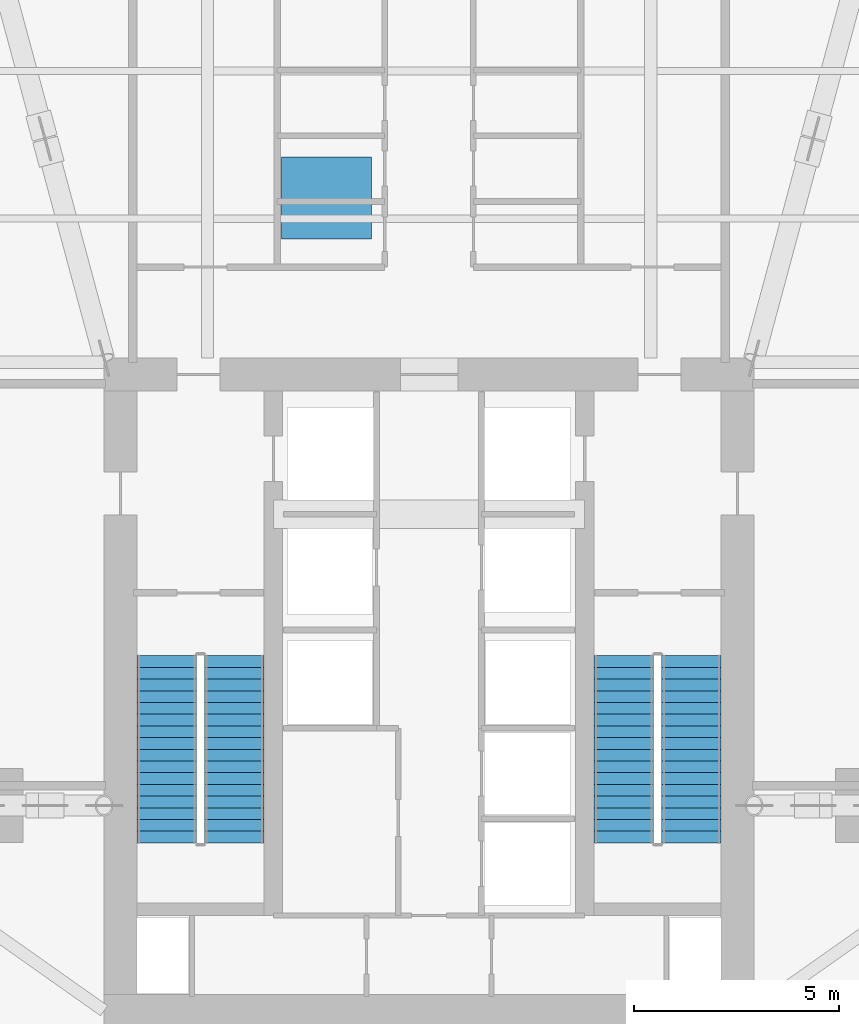
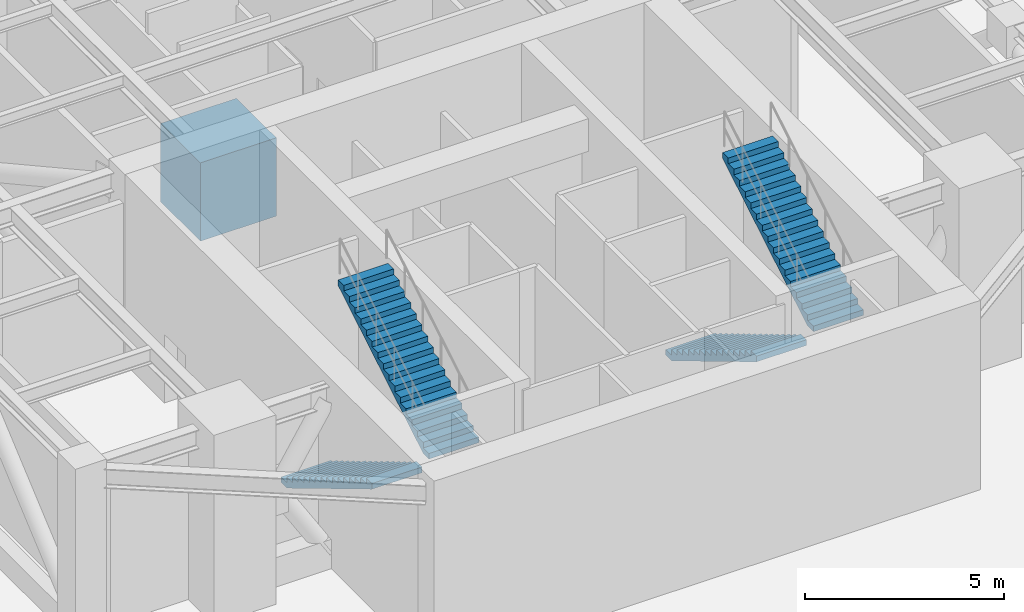
# One storey, part 6 of 8: 4 stair flights, 1 discrete accessory, 2 elements without a shape of their own.
"""IFC4 building model written with IfcOpenShell, lengths in metres."""

from ifc_helpers import new_model, si_unit, direction, frame, origin, origin_2d, place, context, subcontext, project, spatial, polyline, rectangle, outline, extrude, source, transform, mapped, material, type_object, type_shapes, element, aggregate, save


model = new_model("IFC4")

# Units and contexts
model_context = context("Model", 3, precision=1e-05, world=origin(), true_north=direction((0.0, 1.0)))
body_context = subcontext(model_context, "Body", "Model", "MODEL_VIEW")
ifc_project = project(units=[si_unit("LENGTHUNIT", "METRE"), si_unit("AREAUNIT", "SQUARE_METRE"), si_unit("VOLUMEUNIT", "CUBIC_METRE"), si_unit("PLANEANGLEUNIT", "RADIAN"), si_unit("MASSUNIT", "GRAM", prefix="KILO")], contexts=[model_context])

# Site, building, storey
site_placement = place(None, origin())
site = spatial("IfcSite", under=ifc_project, at=site_placement, CompositionType="ELEMENT")
building_placement = place(site_placement, origin())
building = spatial("IfcBuilding", under=site, at=building_placement, Name="Krantzveldt Concourse Tower", CompositionType="ELEMENT")
storey_placement = place(building_placement, frame((0.0, 0.0, 201.5)))
storey = spatial("IfcBuildingStorey", under=building, at=storey_placement, Name="L49", CompositionType="ELEMENT", Elevation=201.5)

# Stair, stair flights
ifc_material_1 = material(Name="Precast concrete C40/50", Category="concrete")
stair_type = type_object("IfcStairType", Name="STR-CORE-DOGLEG", PredefinedType="HALF_TURN_STAIR", material=ifc_material_1)
stair_1_placement = place(storey_placement, origin())
stair_1 = element("IfcStair", 1, at=stair_1_placement, inside=storey, type_object=stair_type, Name="L49 Protected Escape Stair ST-1", PredefinedType="HALF_TURN_STAIR")
stair_flight_type = type_object("IfcStairFlightType", Name="STF-CORE-1450", PredefinedType="STRAIGHT", material=ifc_material_1)
stair_flight_1_placement = place(storey_placement, frame((29.60498046875, 19.550048828125, 0.0), z_axis=(0.0, 0.0, 1.0), x_axis=(0.0, -1.0, 0.0)))
stair_flight_1 = element("IfcStairFlight", 2, at=stair_flight_1_placement, type_object=stair_flight_type, Name="ST-1 flight 1", NumberOfRisers=17, NumberOfTreads=16, PredefinedType="STRAIGHT", RiserHeight=0.170588235, TreadLength=0.285, context=body_context, shape_type="SweptSolid", body=[
    extrude(outline(polyline([(0.0, 0.0), (0.0, 0.170654296875), (0.284912109375, 0.170654296875), (0.284912109375, 0.341064453125), (0.570068359375, 0.341064453125), (0.570068359375, 0.51171875), (0.85498046875, 0.51171875), (0.85498046875, 0.682373046875), (1.139892578125, 0.682373046875), (1.139892578125, 0.85302734375), (1.425048828125, 0.85302734375), (1.425048828125, 1.0234375), (1.7099609375, 1.0234375), (1.7099609375, 1.194091796875), (1.9951171875, 1.194091796875), (1.9951171875, 1.36474609375), (2.280029296875, 1.36474609375), (2.280029296875, 1.535400390625), (2.56494140625, 1.535400390625), (2.56494140625, 1.705810546875), (2.85009765625, 1.705810546875), (2.85009765625, 1.87646484375), (3.135009765625, 1.87646484375), (3.135009765625, 2.047119140625), (3.419921875, 2.047119140625), (3.419921875, 2.217529296875), (3.705078125, 2.217529296875), (3.705078125, 2.38818359375), (3.989990234375, 2.38818359375), (3.989990234375, 2.558837890625), (4.27490234375, 2.558837890625), (4.27490234375, 2.7294921875), (4.56005859375, 2.7294921875), (4.56005859375, 2.89990234375), (4.56005859375, 2.5546875), (0.2919921875, 0.0), (0.0, 0.0)])), frame((0.0, 0.72509765625, 0.0), z_axis=(0.0, -1.0, 0.0), x_axis=(1.0, 0.0, 0.0)), (0.0, 0.0, 1.0), 1.449951171875),
])
stair_flight_2_placement = place(storey_placement, frame((31.2548828125, 14.989990234375, 2.89990234375), z_axis=(0.0, 0.0, 1.0), x_axis=(0.0, 1.0, 0.0)))
stair_flight_2 = element("IfcStairFlight", 3, at=stair_flight_2_placement, type_object=stair_flight_type, Name="ST-1 flight 2", NumberOfRisers=17, NumberOfTreads=16, PredefinedType="STRAIGHT", RiserHeight=0.170588235, TreadLength=0.285, context=body_context, shape_type="SweptSolid", body=[
    extrude(outline(polyline([(0.0, 0.0), (0.0, 0.170654296875), (0.284912109375, 0.170654296875), (0.284912109375, 0.341064453125), (0.570068359375, 0.341064453125), (0.570068359375, 0.51171875), (0.85498046875, 0.51171875), (0.85498046875, 0.682373046875), (1.139892578125, 0.682373046875), (1.139892578125, 0.85302734375), (1.425048828125, 0.85302734375), (1.425048828125, 1.0234375), (1.7099609375, 1.0234375), (1.7099609375, 1.194091796875), (1.9951171875, 1.194091796875), (1.9951171875, 1.36474609375), (2.280029296875, 1.36474609375), (2.280029296875, 1.535400390625), (2.56494140625, 1.535400390625), (2.56494140625, 1.705810546875), (2.85009765625, 1.705810546875), (2.85009765625, 1.87646484375), (3.135009765625, 1.87646484375), (3.135009765625, 2.047119140625), (3.419921875, 2.047119140625), (3.419921875, 2.217529296875), (3.705078125, 2.217529296875), (3.705078125, 2.38818359375), (3.989990234375, 2.38818359375), (3.989990234375, 2.558837890625), (4.27490234375, 2.558837890625), (4.27490234375, 2.7294921875), (4.56005859375, 2.7294921875), (4.56005859375, 2.89990234375), (4.56005859375, 2.5546875), (0.2919921875, 0.0), (0.0, 0.0)])), frame((0.0, 0.72509765625, 0.0), z_axis=(0.0, -1.0, 0.0), x_axis=(1.0, 0.0, 0.0)), (0.0, 0.0, 1.0), 1.449951171875),
])
aggregate(stair_1, [stair_flight_1, stair_flight_2])

stair_2_placement = place(storey_placement, origin())
stair_2 = element("IfcStair", 4, at=stair_2_placement, inside=storey, type_object=stair_type, Name="L49 Protected Escape Stair ST-2", PredefinedType="HALF_TURN_STAIR")
stair_flight_3_placement = place(storey_placement, frame((40.7451171875, 19.550048828125, 0.0), z_axis=(0.0, 0.0, 1.0), x_axis=(0.0, -1.0, 0.0)))
stair_flight_3 = element("IfcStairFlight", 5, at=stair_flight_3_placement, type_object=stair_flight_type, Name="ST-2 flight 1", NumberOfRisers=17, NumberOfTreads=16, PredefinedType="STRAIGHT", RiserHeight=0.170588235, TreadLength=0.285, context=body_context, shape_type="SweptSolid", body=[
    extrude(outline(polyline([(0.0, 0.0), (0.0, 0.170654296875), (0.284912109375, 0.170654296875), (0.284912109375, 0.341064453125), (0.570068359375, 0.341064453125), (0.570068359375, 0.51171875), (0.85498046875, 0.51171875), (0.85498046875, 0.682373046875), (1.139892578125, 0.682373046875), (1.139892578125, 0.85302734375), (1.425048828125, 0.85302734375), (1.425048828125, 1.0234375), (1.7099609375, 1.0234375), (1.7099609375, 1.194091796875), (1.9951171875, 1.194091796875), (1.9951171875, 1.36474609375), (2.280029296875, 1.36474609375), (2.280029296875, 1.535400390625), (2.56494140625, 1.535400390625), (2.56494140625, 1.705810546875), (2.85009765625, 1.705810546875), (2.85009765625, 1.87646484375), (3.135009765625, 1.87646484375), (3.135009765625, 2.047119140625), (3.419921875, 2.047119140625), (3.419921875, 2.217529296875), (3.705078125, 2.217529296875), (3.705078125, 2.38818359375), (3.989990234375, 2.38818359375), (3.989990234375, 2.558837890625), (4.27490234375, 2.558837890625), (4.27490234375, 2.7294921875), (4.56005859375, 2.7294921875), (4.56005859375, 2.89990234375), (4.56005859375, 2.5546875), (0.2919921875, 0.0), (0.0, 0.0)])), frame((0.0, 0.72509765625, 0.0), z_axis=(0.0, -1.0, 0.0), x_axis=(1.0, 0.0, 0.0)), (0.0, 0.0, 1.0), 1.449951171875),
])
stair_flight_4_placement = place(storey_placement, frame((42.39501953125, 14.989990234375, 2.89990234375), z_axis=(0.0, 0.0, 1.0), x_axis=(0.0, 1.0, 0.0)))
stair_flight_4 = element("IfcStairFlight", 6, at=stair_flight_4_placement, type_object=stair_flight_type, Name="ST-2 flight 2", NumberOfRisers=17, NumberOfTreads=16, PredefinedType="STRAIGHT", RiserHeight=0.170588235, TreadLength=0.285, context=body_context, shape_type="SweptSolid", body=[
    extrude(outline(polyline([(0.0, 0.0), (0.0, 0.170654296875), (0.284912109375, 0.170654296875), (0.284912109375, 0.341064453125), (0.570068359375, 0.341064453125), (0.570068359375, 0.51171875), (0.85498046875, 0.51171875), (0.85498046875, 0.682373046875), (1.139892578125, 0.682373046875), (1.139892578125, 0.85302734375), (1.425048828125, 0.85302734375), (1.425048828125, 1.0234375), (1.7099609375, 1.0234375), (1.7099609375, 1.194091796875), (1.9951171875, 1.194091796875), (1.9951171875, 1.36474609375), (2.280029296875, 1.36474609375), (2.280029296875, 1.535400390625), (2.56494140625, 1.535400390625), (2.56494140625, 1.705810546875), (2.85009765625, 1.705810546875), (2.85009765625, 1.87646484375), (3.135009765625, 1.87646484375), (3.135009765625, 2.047119140625), (3.419921875, 2.047119140625), (3.419921875, 2.217529296875), (3.705078125, 2.217529296875), (3.705078125, 2.38818359375), (3.989990234375, 2.38818359375), (3.989990234375, 2.558837890625), (4.27490234375, 2.558837890625), (4.27490234375, 2.7294921875), (4.56005859375, 2.7294921875), (4.56005859375, 2.89990234375), (4.56005859375, 2.5546875), (0.2919921875, 0.0), (0.0, 0.0)])), frame((0.0, 0.72509765625, 0.0), z_axis=(0.0, -1.0, 0.0), x_axis=(1.0, 0.0, 0.0)), (0.0, 0.0, 1.0), 1.449951171875),
])
aggregate(stair_2, [stair_flight_3, stair_flight_4])

# Discrete accessory
ifc_material_2 = material(Name="Galvanised steel", Category="steel")
discrete_accessory_type = type_object("IfcDiscreteAccessoryType", Name="EQ-CHILLER-SKID", PredefinedType="USERDEFINED", material=ifc_material_2)
shared_shape = source(origin(), body_context, "Body", "SweptSolid", [
    extrude(rectangle(XDim=2.199951171875, YDim=2.0, at=origin_2d()), origin(), (0.0, 0.0, 1.0), 2.39990234375),
])
type_shapes(discrete_accessory_type, [shared_shape])
discrete_accessory_placement = place(storey_placement, frame((33.5, 30.699951171875, 0.0), z_axis=(0.0, 0.0, 1.0), x_axis=(1.0, 0.0, 0.0)))
element("IfcDiscreteAccessory", 7, at=discrete_accessory_placement, inside=storey, type_object=discrete_accessory_type, Name="EQ-L49-CHL1", ObjectType="CHILLER SKID", PredefinedType="USERDEFINED", context=body_context, shape_type="MappedRepresentation", body=[
    mapped(shared_shape, transform((0.0, 0.0, 0.0), x_axis=(1.0, 0.0, 0.0), y_axis=(0.0, 1.0, 0.0), z_axis=(0.0, 0.0, 1.0), scale=1.0)),
])

save(model, "model.ifc")
